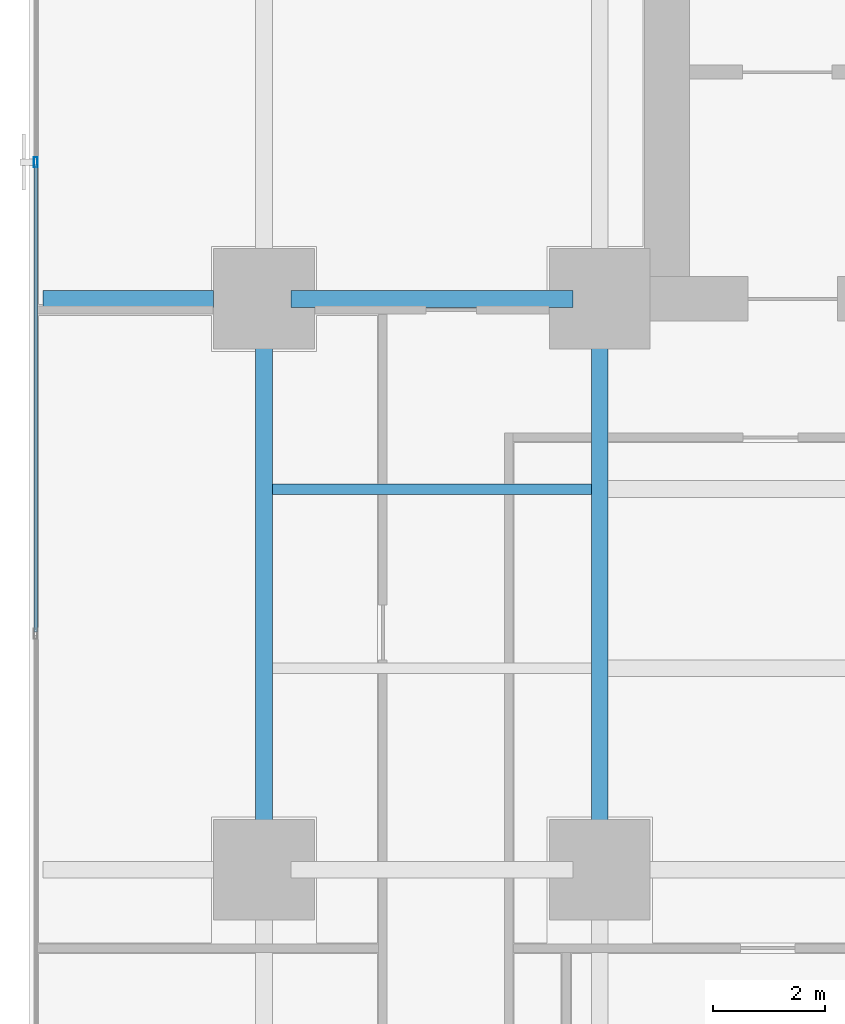
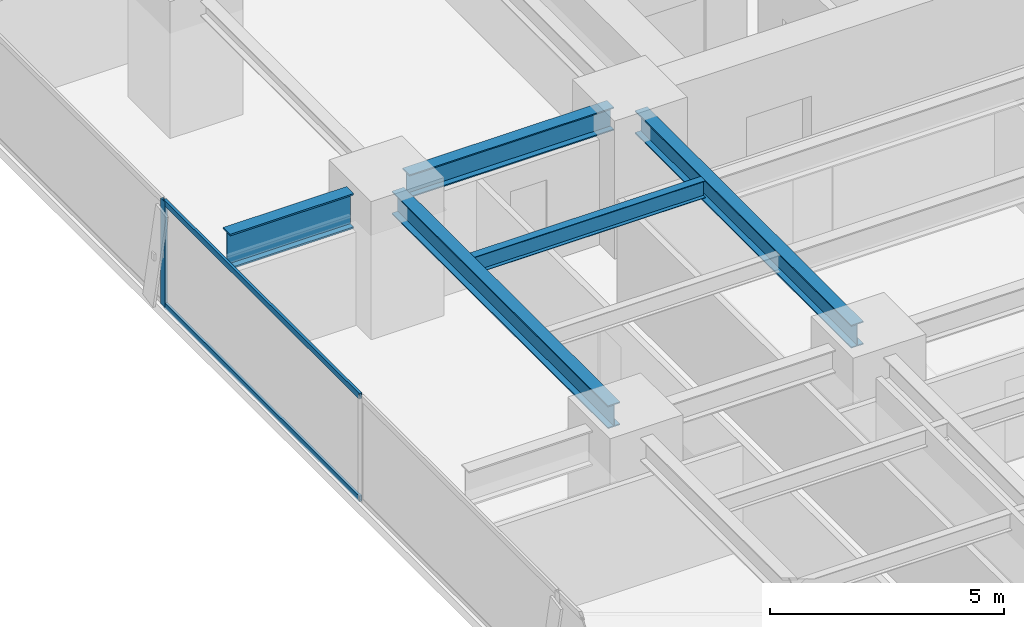
# One storey, part 15 of 32: 5 beams, 3 members, 1 element without a shape of its own.
"""IFC4 building model written with IfcOpenShell, lengths in metres."""

import ifcopenshell
import ifcopenshell.guid

model = None  # the IFC model being written
_history = None  # IfcOwnerHistory: only IFC2X3 demands one
_inside = {}  # id of a spatial element -> (the spatial element, [elements in it])
_under = {}  # id of a project, library or spatial element -> (it, [spatial elements below it])
_declared = {}  # id of a project -> (the project, [libraries it declares])
_typed = {}  # id of a type object -> (the type object, [elements of that type])
_made_of = {}  # id of a material, layer set ... -> (it, [elements and type objects made of it])


def new_model(schema):
    """Start an empty IFC model of exactly this schema.

    Asked for "IFC4X3", IfcOpenShell would pick the latest addendum, in which some entities
    have other attributes; the version numbers below select the first issue.
    IFC2X3 requires an IfcOwnerHistory on every rooted entity: one is made here for all.
    """
    global model, _history
    if schema == "IFC4X3":
        model = ifcopenshell.file(schema_version=(4, 3, 0, 0))
    else:
        model = ifcopenshell.file(schema=schema)
    _inside.clear()
    _under.clear()
    _declared.clear()
    _typed.clear()
    _made_of.clear()
    _history = None
    if model.schema == "IFC2X3":
        org = make("IfcOrganization", Name="unknown")
        user = make(
            "IfcPersonAndOrganization",
            ThePerson=make("IfcPerson", FamilyName="unknown"),
            TheOrganization=org,
        )
        app = make(
            "IfcApplication",
            ApplicationDeveloper=org,
            Version="unknown",
            ApplicationFullName="unknown",
            ApplicationIdentifier="unknown",
        )
        _history = make(
            "IfcOwnerHistory",
            OwningUser=user,
            OwningApplication=app,
            ChangeAction="ADDED",
            CreationDate=0,
        )
    return model


def make(cls, **values):
    """One entity of the class cls with the attributes given. An attribute that is None is left unset."""
    return model.create_entity(
        cls, **{name: value for name, value in values.items() if value is not None}
    )


def rooted(cls, **values):
    """An entity with a GlobalId (a new one), such as an element, a storey or a relation."""
    return make(cls, GlobalId=ifcopenshell.guid.new(), OwnerHistory=_history, **values)


def si_unit(unit_type, name, prefix=None):
    """IfcSIUnit, for example si_unit("LENGTHUNIT", "METRE", prefix="MILLI")."""
    return make("IfcSIUnit", UnitType=unit_type, Prefix=prefix, Name=name)


def assignment(units):
    """IfcUnitAssignment: the units of a project."""
    return None if units is None else make("IfcUnitAssignment", Units=units)


def point(xyz):
    """IfcCartesianPoint."""
    return None if xyz is None else make("IfcCartesianPoint", Coordinates=xyz)


def direction(xyz):
    """IfcDirection."""
    return None if xyz is None else make("IfcDirection", DirectionRatios=xyz)


def frame(location, z_axis=None, x_axis=None):
    """IfcAxis2Placement3D, a coordinate frame: its origin and axes. An axis left out is left unset."""
    return make(
        "IfcAxis2Placement3D",
        Location=point(location),
        Axis=direction(z_axis),
        RefDirection=direction(x_axis),
    )


def frame_2d(location, x_axis=None):
    """IfcAxis2Placement2D, a coordinate frame in the plane: its origin and x axis."""
    return make(
        "IfcAxis2Placement2D", Location=point(location), RefDirection=direction(x_axis)
    )


def origin():
    """The frame at (0, 0, 0) with its axes left unset."""
    return frame((0.0, 0.0, 0.0))


def origin_2d():
    """The frame at (0, 0) in the plane with its x axis left unset."""
    return frame_2d((0.0, 0.0))


def place(relative_to, where):
    """IfcLocalPlacement: puts the frame where relative to a parent placement (None: the world)."""
    return make(
        "IfcLocalPlacement", PlacementRelTo=relative_to, RelativePlacement=where
    )


def context(
    kind, dimensions, precision=None, world=None, true_north=None, identifier=None
):
    """IfcGeometricRepresentationContext, for example the 3D "Model" context."""
    return make(
        "IfcGeometricRepresentationContext",
        ContextIdentifier=identifier,
        ContextType=kind,
        CoordinateSpaceDimension=dimensions,
        Precision=precision,
        WorldCoordinateSystem=world,
        TrueNorth=true_north,
    )


def subcontext(parent, identifier, kind, view, scale=None):
    """IfcGeometricRepresentationSubContext, for example "Body" below "Model"."""
    return make(
        "IfcGeometricRepresentationSubContext",
        ContextIdentifier=identifier,
        ContextType=kind,
        ParentContext=parent,
        TargetScale=scale,
        TargetView=view,
    )


def project(units=None, contexts=None):
    """IfcProject with its units and contexts."""
    return rooted(
        "IfcProject",
        Name="project",
        RepresentationContexts=contexts,
        UnitsInContext=assignment(units),
    )


def spatial(cls, under=None, at=None, **own):
    """A site, building, storey or space (cls), placed at a placement, below another one or the project."""
    s = rooted(cls, ObjectPlacement=at, **own)
    if under is not None:
        _under.setdefault(under.id(), (under, []))[1].append(s)
    return s


def profile(cls, at=None, kind="AREA", **sizes):
    """A parametric profile (cls). Its sizes go by their IFC names, for example OverallWidth=200.0."""
    return make(cls, ProfileType=kind, Position=at, **sizes)


def hollow_rectangle(**sizes):
    """IfcRectangleHollowProfileDef."""
    return profile("IfcRectangleHollowProfileDef", **sizes)


def i_section(**sizes):
    """IfcIShapeProfileDef."""
    return profile("IfcIShapeProfileDef", **sizes)


def extrude(swept, where, along, depth):
    """IfcExtrudedAreaSolid: the profile swept, set in the frame where, extruded along a direction by depth."""
    return make(
        "IfcExtrudedAreaSolid",
        SweptArea=swept,
        Position=where,
        ExtrudedDirection=direction(along),
        Depth=depth,
    )


def shape(context_of_items, identifier, shape_type, items):
    """IfcShapeRepresentation: the items that make up one representation, for example the "Body"."""
    return make(
        "IfcShapeRepresentation",
        ContextOfItems=context_of_items,
        RepresentationIdentifier=identifier,
        RepresentationType=shape_type,
        Items=items,
    )


def source(mapping_origin, context_of_items, identifier, shape_type, items):
    """IfcRepresentationMap: a shape defined once, which mapped items show again and again."""
    return make(
        "IfcRepresentationMap",
        MappingOrigin=mapping_origin,
        MappedRepresentation=shape(context_of_items, identifier, shape_type, items),
    )


def transform(
    local_origin,
    x_axis=None,
    y_axis=None,
    z_axis=None,
    scale=None,
    scale2=None,
    scale3=None,
    uniform=True,
):
    """IfcCartesianTransformationOperator3D, or its non-uniform kind. x_axis, y_axis, z_axis: its Axis1, 2, 3."""
    if uniform:
        return make(
            "IfcCartesianTransformationOperator3D",
            Axis1=direction(x_axis),
            Axis2=direction(y_axis),
            LocalOrigin=point(local_origin),
            Scale=scale,
            Axis3=direction(z_axis),
        )
    return make(
        "IfcCartesianTransformationOperator3DnonUniform",
        Axis1=direction(x_axis),
        Axis2=direction(y_axis),
        LocalOrigin=point(local_origin),
        Scale=scale,
        Axis3=direction(z_axis),
        Scale2=scale2,
        Scale3=scale3,
    )


def mapped(mapping_source, mapping_target):
    """IfcMappedItem: shows the shape of a source again, moved by a transform."""
    return make(
        "IfcMappedItem", MappingSource=mapping_source, MappingTarget=mapping_target
    )


def material(Name=None, Category=None):
    """IfcMaterial."""
    return make("IfcMaterial", Name=Name, Category=Category)


def layer(
    of_material, thickness, ventilated=None, Name=None, Category=None, Priority=None
):
    """IfcMaterialLayer: one layer of a wall or slab, of a material (None: an air gap)."""
    return make(
        "IfcMaterialLayer",
        Material=of_material,
        LayerThickness=thickness,
        IsVentilated=ventilated,
        Name=Name,
        Category=Category,
        Priority=Priority,
    )


def layer_set(layers, Name=None):
    """IfcMaterialLayerSet."""
    return make("IfcMaterialLayerSet", MaterialLayers=layers, LayerSetName=Name)


def material_profile(
    of_material, cross_section, Name=None, Category=None, Priority=None
):
    """IfcMaterialProfile: a cross section and its material."""
    return make(
        "IfcMaterialProfile",
        Name=Name,
        Material=of_material,
        Profile=cross_section,
        Priority=Priority,
        Category=Category,
    )


def profile_set(profiles, Name=None, composite=None):
    """IfcMaterialProfileSet."""
    return make(
        "IfcMaterialProfileSet",
        Name=Name,
        MaterialProfiles=profiles,
        CompositeProfile=composite,
    )


def made_of(thing, what):
    """Note that an element or type object is made of a material, layer set ...; save() writes the relation."""
    if what is not None:
        _made_of.setdefault(what.id(), (what, []))[1].append(thing)
    return thing


def type_object(cls, material=None, **own):
    """A type object (cls), such as IfcWallType, which elements share."""
    return made_of(rooted(cls, **own), material)


def element(
    cls,
    number,
    at=None,
    inside=None,
    cuts=None,
    type_object=None,
    material=None,
    context=None,
    identifier="Body",
    shape_type=None,
    held_by="IfcProductDefinitionShape",
    body=None,
    shapes=None,
    **own,
):
    """One element of the class cls, such as IfcWall. Its Tag is "e" and its number.

    at: its placement. inside: the storey or other place that contains it. cuts: it is an
    opening in that element (IfcRelVoidsElement). A single representation is given by context,
    identifier, shape_type and body (its items); several are given by shapes. held_by: the class
    of the entity that holds the representations. save() writes the other relations.
    """
    e = rooted(cls, Tag="e%d" % number, ObjectPlacement=at, **own)
    if body is not None:
        shapes = [shape(context, identifier, shape_type, body)]
    if shapes is not None:
        e.Representation = make(held_by, Representations=shapes)
    if inside is not None:
        _inside.setdefault(inside.id(), (inside, []))[1].append(e)
    if cuts is not None:
        rooted(
            "IfcRelVoidsElement", RelatingBuildingElement=cuts, RelatedOpeningElement=e
        )
    if type_object is not None:
        _typed.setdefault(type_object.id(), (type_object, []))[1].append(e)
    return made_of(e, material)


def aggregate(whole, parts):
    """IfcRelAggregates: a whole, such as a stair, and the parts it consists of."""
    return rooted("IfcRelAggregates", RelatingObject=whole, RelatedObjects=parts)


def save(model, path):
    """Write the relations noted so far, then the file.

    IfcRelAggregates (storeys below a building ...), IfcRelContainedInSpatialStructure (elements
    in a storey), IfcRelDefinesByType, IfcRelAssociatesMaterial and IfcRelDeclares: one each for
    every whole, place, type object, material and project.
    """
    for whole, parts in _under.values():
        aggregate(whole, parts)
    for where, things in _inside.values():
        rooted(
            "IfcRelContainedInSpatialStructure",
            RelatedElements=things,
            RelatingStructure=where,
        )
    for kind, things in _typed.values():
        rooted("IfcRelDefinesByType", RelatedObjects=things, RelatingType=kind)
    for what, things in _made_of.values():
        rooted("IfcRelAssociatesMaterial", RelatedObjects=things, RelatingMaterial=what)
    for by, libraries in _declared.values():
        rooted("IfcRelDeclares", RelatingContext=by, RelatedDefinitions=libraries)
    model.write(path)


model = new_model("IFC4")

# Units and contexts
model_context = context("Model", 3, precision=1e-05, world=origin(), true_north=direction((0.0, 1.0)))
body_context = subcontext(model_context, "Body", "Model", "MODEL_VIEW")
ifc_project = project(units=[si_unit("LENGTHUNIT", "METRE"), si_unit("AREAUNIT", "SQUARE_METRE"), si_unit("VOLUMEUNIT", "CUBIC_METRE"), si_unit("PLANEANGLEUNIT", "RADIAN"), si_unit("MASSUNIT", "GRAM", prefix="KILO")], contexts=[model_context])

# Site, building, storey
site_placement = place(None, origin())
site = spatial("IfcSite", under=ifc_project, at=site_placement, CompositionType="ELEMENT")
building_placement = place(site_placement, origin())
building = spatial("IfcBuilding", under=site, at=building_placement, Name="Sumidabori Civic Tower", CompositionType="ELEMENT")
storey_placement = place(building_placement, frame((0.0, 0.0, 45.199951171875)))
storey = spatial("IfcBuildingStorey", under=building, at=storey_placement, Name="L11", CompositionType="ELEMENT", Elevation=45.199951171875)

# Beams
ifc_material_1 = material(Name="Steel SN490", Category="steel")
ifc_material_profile_1 = material_profile(ifc_material_1, i_section(OverallWidth=0.300048828125, OverallDepth=0.60009765625, WebThickness=0.015380859375, FlangeThickness=0.030029296875, at=origin_2d()), Name="HE 600 B")
ifc_profile_set_1 = profile_set([ifc_material_profile_1], Name="Steel SN490")
beam_type_1 = type_object("IfcBeamType", Name="BM-GIRD-600", PredefinedType="BEAM", material=ifc_profile_set_1)
shared_shape_1 = source(origin(), body_context, "Body", "SweptSolid", [
    extrude(i_section(OverallWidth=0.300048828125, OverallDepth=0.60009765625, WebThickness=0.015380859375, FlangeThickness=0.030029296875, at=origin_2d()), origin(), (0.0, 0.0, 1.0), 5.0400390625),
])
beam_1_placement = place(storey_placement, frame((-22.320068359375, 10.199951171875, 3.06005859375), z_axis=(1.0, 0.0, 0.0), x_axis=(0.0, 1.0, 0.0)))
element("IfcBeam", 1, at=beam_1_placement, inside=storey, type_object=beam_type_1, Name="Primary Girder L11 GX-19", PredefinedType="BEAM", context=body_context, shape_type="MappedRepresentation", body=[
    mapped(shared_shape_1, transform((0.0, 0.0, 0.0), x_axis=(1.0, 0.0, 0.0), y_axis=(0.0, 1.0, 0.0), z_axis=(0.0, 0.0, 1.0), scale=1.0)),
])
shared_shape_2 = source(origin(), body_context, "Body", "SweptSolid", [
    extrude(i_section(OverallWidth=0.300048828125, OverallDepth=0.60009765625, WebThickness=0.015380859375, FlangeThickness=0.030029296875, at=origin_2d()), origin(), (0.0, 0.0, 1.0), 9.239990234375),
])
for number, where, z_axis, x_axis, name in (
    (2, (-22.800048828125, 0.47998046875, 3.06005859375), (0.0, 1.0, 0.0), (-1.0, 0.0, 0.0), "Primary Girder L11 GY-23"),
    (3, (-16.800048828125, 0.47998046875, 3.06005859375), (0.0, 1.0, 0.0), (-1.0, 0.0, 0.0), "Primary Girder L11 GY-27"),
):
    element("IfcBeam", number, at=place(storey_placement, frame(where, z_axis=z_axis, x_axis=x_axis)), inside=storey, type_object=beam_type_1, Name=name, PredefinedType="BEAM", context=body_context, shape_type="MappedRepresentation", body=[
        mapped(shared_shape_2, transform((0.0, 0.0, 0.0), x_axis=(1.0, 0.0, 0.0), y_axis=(0.0, 1.0, 0.0), z_axis=(0.0, 0.0, 1.0), scale=1.0)),
    ])
ifc_material_profile_2 = material_profile(ifc_material_1, i_section(OverallWidth=0.302001953125, OverallDepth=0.909912109375, WebThickness=0.02099609375, FlangeThickness=0.0400390625, at=origin_2d()), Name="HE 900 M")
ifc_profile_set_2 = profile_set([ifc_material_profile_2], Name="Steel SN490")
beam_type_2 = type_object("IfcBeamType", Name="BM-Z1-EDGE", PredefinedType="SPANDREL", material=ifc_profile_set_2)
shared_shape_3 = source(origin(), body_context, "Body", "SweptSolid", [
    extrude(i_section(OverallWidth=0.302001953125, OverallDepth=0.909912109375, WebThickness=0.02099609375, FlangeThickness=0.0400390625, at=origin_2d()), origin(), (0.0, 0.0, 1.0), 3.050048828125),
])
beam_2_placement = place(storey_placement, frame((-26.75, 10.199951171875, 2.905029296875), z_axis=(1.0, 0.0, 0.0), x_axis=(0.0, 1.0, 0.0)))
element("IfcBeam", 4, at=beam_2_placement, inside=storey, type_object=beam_type_2, Name="Perimeter Overhang Beam L11 W-48", PredefinedType="SPANDREL", context=body_context, shape_type="MappedRepresentation", body=[
    mapped(shared_shape_3, transform((0.0, 0.0, 0.0), x_axis=(1.0, 0.0, 0.0), y_axis=(0.0, 1.0, 0.0), z_axis=(0.0, 0.0, 1.0), scale=1.0)),
])
ifc_material_profile_3 = material_profile(ifc_material_1, i_section(OverallWidth=0.18994140625, OverallDepth=0.449951171875, WebThickness=0.009521484375, FlangeThickness=0.0146484375, at=origin_2d()), Name="IPE 450")
ifc_profile_set_3 = profile_set([ifc_material_profile_3], Name="Steel SN490")
beam_type_3 = type_object("IfcBeamType", Name="BM-JST-450", PredefinedType="JOIST", material=ifc_profile_set_3)
shared_shape_4 = source(origin(), body_context, "Body", "SweptSolid", [
    extrude(i_section(OverallWidth=0.18994140625, OverallDepth=0.449951171875, WebThickness=0.009521484375, FlangeThickness=0.0146484375, at=origin_2d()), origin(), (0.0, 0.0, 1.0), 5.699951171875),
])
beam_3_placement = place(storey_placement, frame((-22.64990234375, 6.800048828125, 3.135009765625), z_axis=(1.0, 0.0, 0.0), x_axis=(0.0, 1.0, 0.0)))
element("IfcBeam", 5, at=beam_3_placement, inside=storey, type_object=beam_type_3, Name="Outer Bay Floor Joist L11 JSTO-55", PredefinedType="JOIST", context=body_context, shape_type="MappedRepresentation", body=[
    mapped(shared_shape_4, transform((0.0, 0.0, 0.0), x_axis=(1.0, 0.0, 0.0), y_axis=(0.0, 1.0, 0.0), z_axis=(0.0, 0.0, 1.0), scale=1.0)),
])

# Curtain wall, members
ifc_material_2 = material(Name="Anodised Bronze Aluminium AW-6063-T6", Category="aluminium")
ifc_layer = layer(ifc_material_2, 0.179931640625, Name="Anodised Bronze Aluminium AW-6063-T6")
ifc_layer_set = layer_set([ifc_layer], Name="Anodised Bronze Aluminium AW-6063-T6")
curtain_wall_type = type_object("IfcCurtainWallType", Name="CW-SYS-2", PredefinedType="NOTDEFINED", material=ifc_layer_set)
curtain_wall_placement = place(storey_placement, origin())
curtain_wall = element("IfcCurtainWall", 6, at=curtain_wall_placement, inside=storey, type_object=curtain_wall_type, Name="Curtain Wall CW:L11:R10", PredefinedType="NOTDEFINED")
ifc_material_profile_4 = material_profile(ifc_material_2, hollow_rectangle(XDim=0.070068359375, YDim=0.179931640625, WallThickness=0.006103515625, at=origin_2d()), Name="ALU MULLION 180x70")
ifc_profile_set_4 = profile_set([ifc_material_profile_4], Name="Anodised Bronze Aluminium AW-6063-T6")
member_type_1 = type_object("IfcMemberType", Name="CW-MUL-180", PredefinedType="MULLION", material=ifc_profile_set_4)
shared_shape_5 = source(origin(), body_context, "Body", "SweptSolid", [
    extrude(hollow_rectangle(XDim=0.070068359375, YDim=0.179931640625, WallThickness=0.006103515625, at=origin_2d()), origin(), (0.0, 0.0, 1.0), 2.739990234375),
])
member_1_placement = place(storey_placement, frame((-26.8798828125, 12.64208984375, 0.0), z_axis=(0.0, 0.0, 1.0), x_axis=(1.0, 0.0, 0.0)))
member_1 = element("IfcMember", 7, at=member_1_placement, type_object=member_type_1, Name="CW-2 mullion 2", PredefinedType="MULLION", context=body_context, shape_type="MappedRepresentation", body=[
    mapped(shared_shape_5, transform((0.0, 0.0, 0.0), x_axis=(1.0, 0.0, 0.0), y_axis=(0.0, 1.0, 0.0), z_axis=(0.0, 0.0, 1.0), scale=1.0)),
])
ifc_material_profile_5 = material_profile(ifc_material_2, hollow_rectangle(XDim=0.06494140625, YDim=0.14990234375, WallThickness=0.0048828125, at=origin_2d()), Name="ALU TRANSOM 150x65")
ifc_profile_set_5 = profile_set([ifc_material_profile_5], Name="Anodised Bronze Aluminium AW-6063-T6")
member_type_2 = type_object("IfcMemberType", Name="CW-TRN-150", PredefinedType="USERDEFINED", material=ifc_profile_set_5)
shared_shape_6 = source(origin(), body_context, "Body", "SweptSolid", [
    extrude(hollow_rectangle(XDim=0.06494140625, YDim=0.14990234375, WallThickness=0.0048828125, at=origin_2d()), origin(), (0.0, 0.0, 1.0), 8.35791015625),
])
member_2_placement = place(storey_placement, frame((-26.8798828125, 12.60693359375, 0.032470703125), z_axis=(0.0, -1.0, 0.0), x_axis=(1.0, 0.0, 0.0)))
member_2 = element("IfcMember", 8, at=member_2_placement, type_object=member_type_2, Name="CW-2 transom 2.1", ObjectType="TRANSOM", PredefinedType="USERDEFINED", context=body_context, shape_type="MappedRepresentation", body=[
    mapped(shared_shape_6, transform((0.0, 0.0, 0.0), x_axis=(1.0, 0.0, 0.0), y_axis=(0.0, 1.0, 0.0), z_axis=(0.0, 0.0, 1.0), scale=1.0)),
])
member_3_placement = place(storey_placement, frame((-26.8798828125, 12.60693359375, 2.70751953125), z_axis=(0.0, -1.0, 0.0), x_axis=(1.0, 0.0, 0.0)))
member_3 = element("IfcMember", 9, at=member_3_placement, type_object=member_type_2, Name="CW-2 transom 2.2", ObjectType="TRANSOM", PredefinedType="USERDEFINED", context=body_context, shape_type="MappedRepresentation", body=[
    mapped(shared_shape_6, transform((0.0, 0.0, 0.0), x_axis=(1.0, 0.0, 0.0), y_axis=(0.0, 1.0, 0.0), z_axis=(0.0, 0.0, 1.0), scale=1.0)),
])
aggregate(curtain_wall, [member_1, member_2, member_3])

save(model, "model.ifc")
